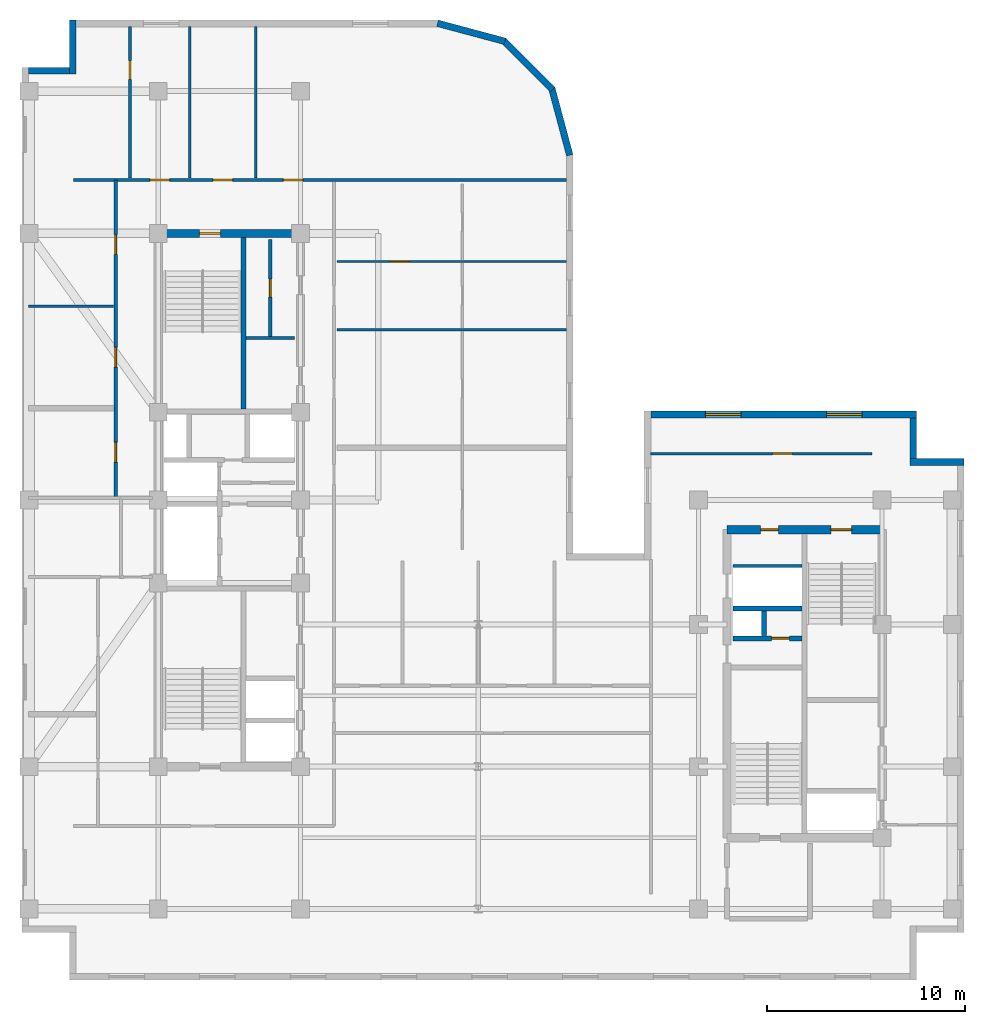
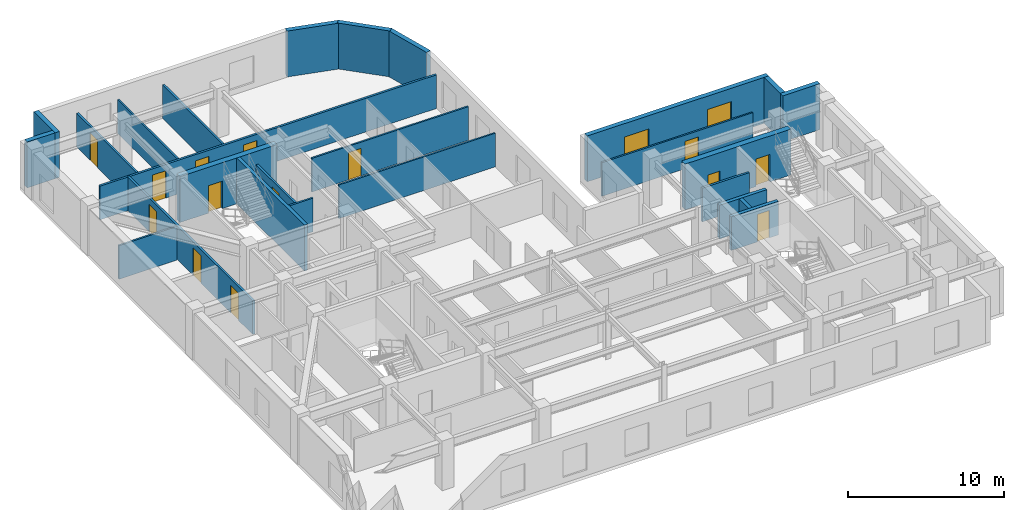
# One storey, part 6 of 10: 26 walls, 14 doors, 2 windows, 16 openings.
"""IFC4 building model written with IfcOpenShell, lengths in metres."""

from ifc_helpers import new_model, entity, si_unit, converted_unit, direction, frame, origin_with_axes, origin_2d_with_axis, place, context, subcontext, project, spatial, polyline, rectangle, outline, extrude, material, layer, layer_set, type_object, element, fill, save


model = new_model("IFC4")

# Units and contexts
model_context = context("Model", 3, precision=1e-05, world=origin_with_axes(), true_north=direction((0.0, 1.0)))
body_context = subcontext(model_context, "Body", "Model", "MODEL_VIEW")
ifc_project = project(units=[si_unit("LENGTHUNIT", "METRE"), si_unit("AREAUNIT", "SQUARE_METRE"), si_unit("VOLUMEUNIT", "CUBIC_METRE"), converted_unit("PLANEANGLEUNIT", "DEGREE", entity("IfcPlaneAngleMeasure", 0.017453292519943295), si_unit("PLANEANGLEUNIT", "RADIAN"), dimensions=[0, 0, 0, 0, 0, 0, 0]), si_unit("MASSUNIT", "GRAM", prefix="KILO"), si_unit("THERMODYNAMICTEMPERATUREUNIT", "KELVIN")], contexts=[model_context])

# Site, building, storey
site_placement = place(None, origin_with_axes())
site = spatial("IfcSite", under=ifc_project, at=site_placement, CompositionType="ELEMENT")
building_placement = place(site_placement, origin_with_axes())
building = spatial("IfcBuilding", under=site, at=building_placement, Name="Varnlund Millrace Tower", CompositionType="ELEMENT")
storey_placement = place(building_placement, frame((0.0, 0.0, 244.2), z_axis=(0.0, 0.0, 1.0), x_axis=(1.0, 0.0, 0.0)))
storey = spatial("IfcBuildingStorey", under=building, at=storey_placement, Name="L60", CompositionType="ELEMENT", Elevation=244.2)

# Wall, opening, door
ifc_material_1 = material(Name="Concrete C60/75", Category="concrete")
ifc_layer_1 = layer(ifc_material_1, 0.42, Name="Concrete C60/75")
ifc_layer_set_1 = layer_set([ifc_layer_1], Name="Concrete C60/75")
wall_type_1 = type_object("IfcWallType", Name="Type-CoreWall-Shear-420-C60", PredefinedType="SHEAR", material=ifc_layer_set_1)
wall_1_placement = place(storey_placement, frame((11.4, 37.8, 0.0), z_axis=(0.0, 0.0, 1.0), x_axis=(1.0, 0.0, 0.0)))
wall_1 = element("IfcWall", 1, at=wall_1_placement, inside=storey, type_object=wall_type_1, Name="Type-CoreWall-Shear-420-C60", PredefinedType="SHEAR", context=body_context, shape_type="SweptSolid", body=[
    extrude(outline(polyline([(0.0, -0.21), (7.2, -0.21), (7.2, 0.21), (0.0, 0.21), (0.0, -0.21)])), origin_with_axes(), (0.0, 0.0, 1.0), 3.6),
])
opening_1_placement = place(wall_1_placement, frame((2.625, 0.0, 0.0), z_axis=(0.0, 0.0, 1.0), x_axis=(1.0, 0.0, 0.0)))
opening_1 = element("IfcOpeningElement", 2, at=opening_1_placement, cuts=wall_1, Name="Opening L60:DR-STA2", PredefinedType="OPENING", context=body_context, shape_type="SweptSolid", body=[
    extrude(rectangle(XDim=1.05, YDim=0.44, at=origin_2d_with_axis()), origin_with_axes(), (0.0, 0.0, 1.0), 2.15),
])
ifc_material_2 = material(Name="Fire-rated hollow steel door", Category="steel")
door_type_1 = type_object("IfcDoorType", Name="Type-FireDoor-Stair-1050X2150", OperationType="NOTDEFINED", PredefinedType="DOOR", material=ifc_material_2)
door_1_placement = place(wall_1_placement, frame((2.625, 0.0, 0.0), z_axis=(0.0, 0.0, 1.0), x_axis=(1.0, 0.0, 0.0)))
door_1 = element("IfcDoor", 3, at=door_1_placement, inside=storey, type_object=door_type_1, Name="Type-FireDoor-Stair-1050X2150", OperationType="SINGLE_SWING_RIGHT", OverallHeight=2.15, OverallWidth=1.05, PredefinedType="DOOR", context=body_context, shape_type="SweptSolid", body=[
    extrude(rectangle(XDim=1.05, YDim=0.09, at=origin_2d_with_axis()), origin_with_axes(), (0.0, 0.0, 1.0), 2.15),
])
fill(opening_1, door_1)

# Wall, openings, doors
wall_2_placement = place(storey_placement, frame((40.2, 22.8, 0.0), z_axis=(0.0, 0.0, 1.0), x_axis=(1.0, 0.0, 0.0)))
wall_2 = element("IfcWall", 4, at=wall_2_placement, inside=storey, type_object=wall_type_1, Name="Type-CoreWall-Shear-420-C60", PredefinedType="SHEAR", context=body_context, shape_type="SweptSolid", body=[
    extrude(outline(polyline([(0.0, -0.21), (7.85, -0.21), (7.85, 0.21), (0.0, 0.21), (0.0, -0.21)])), origin_with_axes(), (0.0, 0.0, 1.0), 3.6),
])
opening_2_placement = place(wall_2_placement, frame((5.775, 0.0, 0.0), z_axis=(0.0, 0.0, 1.0), x_axis=(1.0, 0.0, 0.0)))
opening_2 = element("IfcOpeningElement", 5, at=opening_2_placement, cuts=wall_2, Name="Opening L60:DR-STB2", PredefinedType="OPENING", context=body_context, shape_type="SweptSolid", body=[
    extrude(rectangle(XDim=1.05, YDim=0.44, at=origin_2d_with_axis()), origin_with_axes(), (0.0, 0.0, 1.0), 2.15),
])
opening_3_placement = place(wall_2_placement, frame((2.15, 0.0, 0.0), z_axis=(0.0, 0.0, 1.0), x_axis=(1.0, 0.0, 0.0)))
opening_3 = element("IfcOpeningElement", 6, at=opening_3_placement, cuts=wall_2, Name="Opening L60:DR-CB-NW", PredefinedType="OPENING", context=body_context, shape_type="SweptSolid", body=[
    extrude(rectangle(XDim=0.9, YDim=0.44, at=origin_2d_with_axis()), origin_with_axes(), (0.0, 0.0, 1.0), 2.15),
])
ifc_material_3 = material(Name="Fire-rated hollow steel service closet door", Category="steel")
door_type_2 = type_object("IfcDoorType", Name="Type-FireDoor-Closet-900X2150", OperationType="NOTDEFINED", PredefinedType="DOOR", material=ifc_material_3)
door_2_placement = place(wall_2_placement, frame((2.15, 0.0, 0.0), z_axis=(0.0, 0.0, 1.0), x_axis=(1.0, 0.0, 0.0)))
door_2 = element("IfcDoor", 7, at=door_2_placement, inside=storey, type_object=door_type_2, Name="Type-FireDoor-Closet-900X2150", OperationType="SINGLE_SWING_LEFT", OverallHeight=2.15, OverallWidth=0.9, PredefinedType="DOOR", context=body_context, shape_type="SweptSolid", body=[
    extrude(rectangle(XDim=0.9, YDim=0.09, at=origin_2d_with_axis()), origin_with_axes(), (0.0, 0.0, 1.0), 2.15),
])
fill(opening_3, door_2)
door_3_placement = place(wall_2_placement, frame((5.775, 0.0, 0.0), z_axis=(0.0, 0.0, 1.0), x_axis=(1.0, 0.0, 0.0)))
door_3 = element("IfcDoor", 8, at=door_3_placement, inside=storey, type_object=door_type_1, Name="Type-FireDoor-Stair-1050X2150", OperationType="SINGLE_SWING_RIGHT", OverallHeight=2.15, OverallWidth=1.05, PredefinedType="DOOR", context=body_context, shape_type="SweptSolid", body=[
    extrude(rectangle(XDim=1.05, YDim=0.09, at=origin_2d_with_axis()), origin_with_axes(), (0.0, 0.0, 1.0), 2.15),
])
fill(opening_2, door_3)

# Wall, openings, windows
ifc_material_4 = material(Name="Precast concrete C50/60", Category="concrete")
ifc_layer_2 = layer(ifc_material_4, 0.34, Name="Precast concrete C50/60")
ifc_layer_set_2 = layer_set([ifc_layer_2], Name="Precast concrete C50/60")
wall_type_2 = type_object("IfcWallType", Name="Type-ExtWall-Precast-Upper-340", PredefinedType="SOLIDWALL", material=ifc_layer_set_2)
wall_3_placement = place(storey_placement, frame((36.34, 28.63, 0.0), z_axis=(0.0, 0.0, 1.0), x_axis=(1.0, 0.0, 0.0)))
wall_3 = element("IfcWall", 9, at=wall_3_placement, inside=storey, type_object=wall_type_2, Name="Type-ExtWall-Precast-Upper-340", PredefinedType="SOLIDWALL", context=body_context, shape_type="SweptSolid", body=[
    extrude(outline(polyline([(0.0, -0.17), (13.46, -0.17), (13.46, 0.17), (0.0, 0.17), (0.0, -0.17)])), origin_with_axes(), (0.0, 0.0, 1.0), 3.6),
])
opening_4_placement = place(wall_3_placement, frame((3.665, 0.0, 0.45), z_axis=(0.0, 0.0, 1.0), x_axis=(1.0, 0.0, 0.0)))
opening_4 = element("IfcOpeningElement", 10, at=opening_4_placement, cuts=wall_3, Name="Opening L60:WN-02", PredefinedType="OPENING", context=body_context, shape_type="SweptSolid", body=[
    extrude(rectangle(XDim=1.8, YDim=0.36, at=origin_2d_with_axis()), origin_with_axes(), (0.0, 0.0, 1.0), 2.1),
])
opening_5_placement = place(wall_3_placement, frame((9.795, 0.0, 0.45), z_axis=(0.0, 0.0, 1.0), x_axis=(1.0, 0.0, 0.0)))
opening_5 = element("IfcOpeningElement", 11, at=opening_5_placement, cuts=wall_3, Name="Opening L60:WN-03", PredefinedType="OPENING", context=body_context, shape_type="SweptSolid", body=[
    extrude(rectangle(XDim=1.8, YDim=0.36, at=origin_2d_with_axis()), origin_with_axes(), (0.0, 0.0, 1.0), 2.1),
])
ifc_material_5 = material(Name="Argon low-e triple glazing in thermally broken bronze frame", Category="glass")
window_type = type_object("IfcWindowType", Name="Type-Window-Punched-1800X2100", PartitioningType="SINGLE_PANEL", PredefinedType="WINDOW", material=ifc_material_5)
window_1_placement = place(wall_3_placement, frame((3.665, 0.0, 0.45), z_axis=(0.0, 0.0, 1.0), x_axis=(1.0, 0.0, 0.0)))
window_1 = element("IfcWindow", 12, at=window_1_placement, inside=storey, type_object=window_type, Name="Type-Window-Punched-1800X2100", OverallHeight=2.1, OverallWidth=1.8, PredefinedType="WINDOW", context=body_context, shape_type="SweptSolid", body=[
    extrude(rectangle(XDim=1.8, YDim=0.09, at=origin_2d_with_axis()), origin_with_axes(), (0.0, 0.0, 1.0), 2.1),
])
fill(opening_4, window_1)
window_2_placement = place(wall_3_placement, frame((9.795, 0.0, 0.45), z_axis=(0.0, 0.0, 1.0), x_axis=(1.0, 0.0, 0.0)))
window_2 = element("IfcWindow", 13, at=window_2_placement, inside=storey, type_object=window_type, Name="Type-Window-Punched-1800X2100", OverallHeight=2.1, OverallWidth=1.8, PredefinedType="WINDOW", context=body_context, shape_type="SweptSolid", body=[
    extrude(rectangle(XDim=1.8, YDim=0.09, at=origin_2d_with_axis()), origin_with_axes(), (0.0, 0.0, 1.0), 2.1),
])
fill(opening_5, window_2)

# Walls
wall_4_placement = place(storey_placement, frame((49.63, 28.46, 0.0), z_axis=(0.0, 0.0, 1.0), x_axis=(0.0, -1.0, 0.0)))
element("IfcWall", 14, at=wall_4_placement, inside=storey, type_object=wall_type_2, Name="Type-ExtWall-Precast-Upper-340", PredefinedType="SOLIDWALL", context=body_context, shape_type="SweptSolid", body=[
    extrude(outline(polyline([(0.0, -0.17), (2.06, -0.17), (2.06, 0.17), (0.0, 0.17), (0.0, -0.17)])), origin_with_axes(), (0.0, 0.0, 1.0), 3.6),
])
wall_5_placement = place(storey_placement, frame((49.46, 26.23, 0.0), z_axis=(0.0, 0.0, 1.0), x_axis=(1.0, 0.0, 0.0)))
element("IfcWall", 15, at=wall_5_placement, inside=storey, type_object=wall_type_2, Name="Type-ExtWall-Precast-Upper-340", PredefinedType="SOLIDWALL", context=body_context, shape_type="SweptSolid", body=[
    extrude(outline(polyline([(0.0, -0.17), (2.74, -0.17), (2.74, 0.17), (0.0, 0.17), (0.0, -0.17)])), origin_with_axes(), (0.0, 0.0, 1.0), 3.6),
])
wall_6_placement = place(storey_placement, frame((4.84, 46.03, 0.0), z_axis=(0.0, 0.0, 1.0), x_axis=(1.0, 0.0, 0.0)))
element("IfcWall", 16, at=wall_6_placement, inside=storey, type_object=wall_type_2, Name="Type-ExtWall-Precast-Upper-340", PredefinedType="SOLIDWALL", context=body_context, shape_type="SweptSolid", body=[
    extrude(outline(polyline([(0.0, -0.17), (2.06, -0.17), (2.06, 0.17), (0.0, 0.17), (0.0, -0.17)])), origin_with_axes(), (0.0, 0.0, 1.0), 3.6),
])
wall_7_placement = place(storey_placement, frame((7.07, 45.86, 0.0), z_axis=(0.0, 0.0, 1.0), x_axis=(0.0, 1.0, 0.0)))
element("IfcWall", 17, at=wall_7_placement, inside=storey, type_object=wall_type_2, Name="Type-ExtWall-Precast-Upper-340", PredefinedType="SOLIDWALL", context=body_context, shape_type="SweptSolid", body=[
    extrude(outline(polyline([(0.0, -0.17), (2.74, -0.17), (2.74, 0.17), (0.0, 0.17), (0.0, -0.17)])), origin_with_axes(), (0.0, 0.0, 1.0), 3.6),
])
wall_8_placement = place(storey_placement, frame((25.537, 48.441, 0.0), z_axis=(0.0, 0.0, 1.0), x_axis=(0.965934, -0.258788, 0.0)))
element("IfcWall", 18, at=wall_8_placement, inside=storey, type_object=wall_type_2, Name="Type-ExtWall-Precast-Upper-340", PredefinedType="SOLIDWALL", context=body_context, shape_type="SweptSolid", body=[
    extrude(outline(polyline([(0.0, -0.17), (3.539579, -0.17), (3.539579, 0.17), (0.0, 0.17), (0.0, -0.17)])), origin_with_axes(), (0.0, 0.0, 1.0), 3.6),
])
wall_9_placement = place(storey_placement, frame((28.866, 47.583, 0.0), z_axis=(0.0, 0.0, 1.0), x_axis=(0.707107, -0.707107, 0.0)))
element("IfcWall", 19, at=wall_9_placement, inside=storey, type_object=wall_type_2, Name="Type-ExtWall-Precast-Upper-340", PredefinedType="SOLIDWALL", context=body_context, shape_type="SweptSolid", body=[
    extrude(outline(polyline([(0.0, -0.17), (3.539777, -0.17), (3.539777, 0.17), (0.0, 0.17), (0.0, -0.17)])), origin_with_axes(), (0.0, 0.0, 1.0), 3.6),
])
wall_10_placement = place(storey_placement, frame((31.32, 45.175, 0.0), z_axis=(0.0, 0.0, 1.0), x_axis=(0.258788, -0.965934, 0.0)))
element("IfcWall", 20, at=wall_10_placement, inside=storey, type_object=wall_type_2, Name="Type-ExtWall-Precast-Upper-340", PredefinedType="SOLIDWALL", context=body_context, shape_type="SweptSolid", body=[
    extrude(outline(polyline([(0.0, -0.17), (3.539579, -0.17), (3.539579, 0.17), (0.0, 0.17), (0.0, -0.17)])), origin_with_axes(), (0.0, 0.0, 1.0), 3.6),
])

# Wall, opening, door
ifc_material_6 = material(Name="Fire-rated gypsum board on cold-formed steel framing", Category="steel")
ifc_layer_3 = layer(ifc_material_6, 0.16, Name="Fire-rated gypsum board on cold-formed steel framing")
ifc_layer_set_3 = layer_set([ifc_layer_3], Name="Fire-rated gypsum board on cold-formed steel framing")
wall_type_3 = type_object("IfcWallType", Name="Type-Partition-Corridor-160", PredefinedType="PARTITIONING", material=ifc_layer_set_3)
wall_11_placement = place(storey_placement, frame((17.07, 32.58, 0.0), z_axis=(0.0, 0.0, 1.0), x_axis=(0.0, 1.0, 0.0)))
wall_11 = element("IfcWall", 21, at=wall_11_placement, inside=storey, type_object=wall_type_3, Name="Type-Partition-Corridor-160", PredefinedType="PARTITIONING", context=body_context, shape_type="SweptSolid", body=[
    extrude(outline(polyline([(0.0, -0.08), (4.92, -0.08), (4.92, 0.08), (0.0, 0.08), (0.0, -0.08)])), origin_with_axes(), (0.0, 0.0, 1.0), 2.64),
])
opening_6_placement = place(wall_11_placement, frame((2.45, 0.0, 0.0), z_axis=(0.0, 0.0, 1.0), x_axis=(1.0, 0.0, 0.0)))
opening_6 = element("IfcOpeningElement", 22, at=opening_6_placement, cuts=wall_11, Name="Opening L60:DR-RECL-M2", PredefinedType="OPENING", context=body_context, shape_type="SweptSolid", body=[
    extrude(rectangle(XDim=0.9, YDim=0.18, at=origin_2d_with_axis()), origin_with_axes(), (0.0, 0.0, 1.0), 2.15),
])
ifc_material_7 = material(Name="Painted steel riser and closet door", Category="steel")
door_type_3 = type_object("IfcDoorType", Name="Type-IntDoor-Closet-900X2150", OperationType="NOTDEFINED", PredefinedType="DOOR", material=ifc_material_7)
door_4_placement = place(wall_11_placement, frame((2.45, 0.0, 0.0), z_axis=(0.0, 0.0, 1.0), x_axis=(1.0, 0.0, 0.0)))
door_4 = element("IfcDoor", 23, at=door_4_placement, inside=storey, type_object=door_type_3, Name="Type-IntDoor-Closet-900X2150", OperationType="SINGLE_SWING_LEFT", OverallHeight=2.15, OverallWidth=0.9, PredefinedType="DOOR", context=body_context, shape_type="SweptSolid", body=[
    extrude(rectangle(XDim=0.9, YDim=0.09, at=origin_2d_with_axis()), origin_with_axes(), (0.0, 0.0, 1.0), 2.15),
])
fill(opening_6, door_4)

# Wall
wall_12_placement = place(storey_placement, frame((40.5, 20.96, 0.0), z_axis=(0.0, 0.0, 1.0), x_axis=(1.0, 0.0, 0.0)))
element("IfcWall", 24, at=wall_12_placement, inside=storey, type_object=wall_type_3, Name="Type-Partition-Corridor-160", PredefinedType="PARTITIONING", context=body_context, shape_type="SweptSolid", body=[
    extrude(outline(polyline([(0.0, -0.08), (3.5, -0.08), (3.5, 0.08), (0.0, 0.08), (0.0, -0.08)])), origin_with_axes(), (0.0, 0.0, 1.0), 2.64),
])

# Wall, openings, doors
wall_13_placement = place(storey_placement, frame((7.1, 40.5, 0.0), z_axis=(0.0, 0.0, 1.0), x_axis=(1.0, 0.0, 0.0)))
wall_13 = element("IfcWall", 25, at=wall_13_placement, inside=storey, type_object=wall_type_3, Name="Type-Partition-Corridor-160", PredefinedType="PARTITIONING", context=body_context, shape_type="SweptSolid", body=[
    extrude(outline(polyline([(0.0, -0.08), (24.965, -0.08), (24.965, 0.08), (0.0, 0.08), (0.0, -0.08)])), origin_with_axes(), (0.0, 0.0, 1.0), 2.64),
])
opening_7_placement = place(wall_13_placement, frame((4.38, 0.0, 0.0), z_axis=(0.0, 0.0, 1.0), x_axis=(1.0, 0.0, 0.0)))
opening_7 = element("IfcOpeningElement", 26, at=opening_7_placement, cuts=wall_13, Name="Opening L60:DR-WAN-02", PredefinedType="OPENING", context=body_context, shape_type="SweptSolid", body=[
    extrude(rectangle(XDim=1.0, YDim=0.18, at=origin_2d_with_axis()), origin_with_axes(), (0.0, 0.0, 1.0), 2.15),
])
opening_8_placement = place(wall_13_placement, frame((7.5665, 0.0, 0.0), z_axis=(0.0, 0.0, 1.0), x_axis=(1.0, 0.0, 0.0)))
opening_8 = element("IfcOpeningElement", 27, at=opening_8_placement, cuts=wall_13, Name="Opening L60:DR-WAN-03", PredefinedType="OPENING", context=body_context, shape_type="SweptSolid", body=[
    extrude(rectangle(XDim=1.0, YDim=0.18, at=origin_2d_with_axis()), origin_with_axes(), (0.0, 0.0, 1.0), 2.15),
])
opening_9_placement = place(wall_13_placement, frame((11.1285, 0.0, 0.0), z_axis=(0.0, 0.0, 1.0), x_axis=(1.0, 0.0, 0.0)))
opening_9 = element("IfcOpeningElement", 28, at=opening_9_placement, cuts=wall_13, Name="Opening L60:DR-WAN-04", PredefinedType="OPENING", context=body_context, shape_type="SweptSolid", body=[
    extrude(rectangle(XDim=1.0, YDim=0.18, at=origin_2d_with_axis()), origin_with_axes(), (0.0, 0.0, 1.0), 2.15),
])
ifc_material_8 = material(Name="Solid-core white oak and bronze frame door")
door_type_4 = type_object("IfcDoorType", Name="Type-IntDoor-Office-1000X2150", OperationType="NOTDEFINED", PredefinedType="DOOR", material=ifc_material_8)
door_5_placement = place(wall_13_placement, frame((4.38, 0.0, 0.0), z_axis=(0.0, 0.0, 1.0), x_axis=(1.0, 0.0, 0.0)))
door_5 = element("IfcDoor", 29, at=door_5_placement, inside=storey, type_object=door_type_4, Name="Type-IntDoor-Office-1000X2150", OperationType="SINGLE_SWING_RIGHT", OverallHeight=2.15, OverallWidth=1.0, PredefinedType="DOOR", context=body_context, shape_type="SweptSolid", body=[
    extrude(rectangle(XDim=1.0, YDim=0.09, at=origin_2d_with_axis()), origin_with_axes(), (0.0, 0.0, 1.0), 2.15),
])
fill(opening_7, door_5)
door_6_placement = place(wall_13_placement, frame((7.5665, 0.0, 0.0), z_axis=(0.0, 0.0, 1.0), x_axis=(1.0, 0.0, 0.0)))
door_6 = element("IfcDoor", 30, at=door_6_placement, inside=storey, type_object=door_type_4, Name="Type-IntDoor-Office-1000X2150", OperationType="SINGLE_SWING_LEFT", OverallHeight=2.15, OverallWidth=1.0, PredefinedType="DOOR", context=body_context, shape_type="SweptSolid", body=[
    extrude(rectangle(XDim=1.0, YDim=0.09, at=origin_2d_with_axis()), origin_with_axes(), (0.0, 0.0, 1.0), 2.15),
])
fill(opening_8, door_6)
door_7_placement = place(wall_13_placement, frame((11.1285, 0.0, 0.0), z_axis=(0.0, 0.0, 1.0), x_axis=(1.0, 0.0, 0.0)))
door_7 = element("IfcDoor", 31, at=door_7_placement, inside=storey, type_object=door_type_4, Name="Type-IntDoor-Office-1000X2150", OperationType="SINGLE_SWING_RIGHT", OverallHeight=2.15, OverallWidth=1.0, PredefinedType="DOOR", context=body_context, shape_type="SweptSolid", body=[
    extrude(rectangle(XDim=1.0, YDim=0.09, at=origin_2d_with_axis()), origin_with_axes(), (0.0, 0.0, 1.0), 2.15),
])
fill(opening_9, door_7)

wall_14_placement = place(storey_placement, frame((9.25, 24.4, 0.0), z_axis=(0.0, 0.0, 1.0), x_axis=(0.0, 1.0, 0.0)))
wall_14 = element("IfcWall", 32, at=wall_14_placement, inside=storey, type_object=wall_type_3, Name="Type-Partition-Corridor-160", PredefinedType="PARTITIONING", context=body_context, shape_type="SweptSolid", body=[
    extrude(outline(polyline([(0.0, -0.08), (16.1, -0.08), (16.1, 0.08), (0.0, 0.08), (0.0, -0.08)])), origin_with_axes(), (0.0, 0.0, 1.0), 2.64),
])
opening_10_placement = place(wall_14_placement, frame((2.316, 0.0, 0.0), z_axis=(0.0, 0.0, 1.0), x_axis=(1.0, 0.0, 0.0)))
opening_10 = element("IfcOpeningElement", 33, at=opening_10_placement, cuts=wall_14, Name="Opening L60:DR-WN-01", PredefinedType="OPENING", context=body_context, shape_type="SweptSolid", body=[
    extrude(rectangle(XDim=1.0, YDim=0.18, at=origin_2d_with_axis()), origin_with_axes(), (0.0, 0.0, 1.0), 2.15),
])
opening_11_placement = place(wall_14_placement, frame((7.1315, 0.0, 0.0), z_axis=(0.0, 0.0, 1.0), x_axis=(1.0, 0.0, 0.0)))
opening_11 = element("IfcOpeningElement", 34, at=opening_11_placement, cuts=wall_14, Name="Opening L60:DR-WN-02", PredefinedType="OPENING", context=body_context, shape_type="SweptSolid", body=[
    extrude(rectangle(XDim=1.0, YDim=0.18, at=origin_2d_with_axis()), origin_with_axes(), (0.0, 0.0, 1.0), 2.15),
])
opening_12_placement = place(wall_14_placement, frame((12.8405, 0.0, 0.0), z_axis=(0.0, 0.0, 1.0), x_axis=(1.0, 0.0, 0.0)))
opening_12 = element("IfcOpeningElement", 35, at=opening_12_placement, cuts=wall_14, Name="Opening L60:DR-WN-03", PredefinedType="OPENING", context=body_context, shape_type="SweptSolid", body=[
    extrude(rectangle(XDim=1.0, YDim=0.18, at=origin_2d_with_axis()), origin_with_axes(), (0.0, 0.0, 1.0), 2.15),
])
door_8_placement = place(wall_14_placement, frame((2.316, 0.0, 0.0), z_axis=(0.0, 0.0, 1.0), x_axis=(1.0, 0.0, 0.0)))
door_8 = element("IfcDoor", 36, at=door_8_placement, inside=storey, type_object=door_type_4, Name="Type-IntDoor-Office-1000X2150", OperationType="SINGLE_SWING_LEFT", OverallHeight=2.15, OverallWidth=1.0, PredefinedType="DOOR", context=body_context, shape_type="SweptSolid", body=[
    extrude(rectangle(XDim=1.0, YDim=0.09, at=origin_2d_with_axis()), origin_with_axes(), (0.0, 0.0, 1.0), 2.15),
])
fill(opening_10, door_8)
door_9_placement = place(wall_14_placement, frame((7.1315, 0.0, 0.0), z_axis=(0.0, 0.0, 1.0), x_axis=(1.0, 0.0, 0.0)))
door_9 = element("IfcDoor", 37, at=door_9_placement, inside=storey, type_object=door_type_4, Name="Type-IntDoor-Office-1000X2150", OperationType="SINGLE_SWING_RIGHT", OverallHeight=2.15, OverallWidth=1.0, PredefinedType="DOOR", context=body_context, shape_type="SweptSolid", body=[
    extrude(rectangle(XDim=1.0, YDim=0.09, at=origin_2d_with_axis()), origin_with_axes(), (0.0, 0.0, 1.0), 2.15),
])
fill(opening_11, door_9)
door_10_placement = place(wall_14_placement, frame((12.8405, 0.0, 0.0), z_axis=(0.0, 0.0, 1.0), x_axis=(1.0, 0.0, 0.0)))
door_10 = element("IfcDoor", 38, at=door_10_placement, inside=storey, type_object=door_type_4, Name="Type-IntDoor-Office-1000X2150", OperationType="SINGLE_SWING_LEFT", OverallHeight=2.15, OverallWidth=1.0, PredefinedType="DOOR", context=body_context, shape_type="SweptSolid", body=[
    extrude(rectangle(XDim=1.0, YDim=0.09, at=origin_2d_with_axis()), origin_with_axes(), (0.0, 0.0, 1.0), 2.15),
])
fill(opening_12, door_10)

# Wall, opening, door
ifc_material_9 = material(Name="Acoustic STC-50 gypsum board partition", Category="gypsum")
ifc_layer_4 = layer(ifc_material_9, 0.15, Name="Acoustic STC-50 gypsum board partition")
ifc_layer_set_4 = layer_set([ifc_layer_4], Name="Acoustic STC-50 gypsum board partition")
wall_type_4 = type_object("IfcWallType", Name="Type-Partition-Demising-150", PredefinedType="PARTITIONING", material=ifc_layer_set_4)
wall_15_placement = place(storey_placement, frame((9.964, 40.6, 0.0), z_axis=(0.0, 0.0, 1.0), x_axis=(0.0, 1.0, 0.0)))
wall_15 = element("IfcWall", 39, at=wall_15_placement, inside=storey, type_object=wall_type_4, Name="Type-Partition-Demising-150", PredefinedType="PARTITIONING", context=body_context, shape_type="SweptSolid", body=[
    extrude(outline(polyline([(0.0, -0.075), (7.665, -0.075), (7.665, 0.075), (0.0, 0.075), (0.0, -0.075)])), origin_with_axes(), (0.0, 0.0, 1.0), 2.64),
])
opening_13_placement = place(wall_15_placement, frame((5.47, 0.0, 0.0), z_axis=(0.0, 0.0, 1.0), x_axis=(1.0, 0.0, 0.0)))
opening_13 = element("IfcOpeningElement", 40, at=opening_13_placement, cuts=wall_15, Name="Opening L60:DR-WAN-01", PredefinedType="OPENING", context=body_context, shape_type="SweptSolid", body=[
    extrude(rectangle(XDim=0.95, YDim=0.17, at=origin_2d_with_axis()), origin_with_axes(), (0.0, 0.0, 1.0), 2.15),
])
ifc_material_10 = material(Name="Solid-core acoustic office door")
door_type_5 = type_object("IfcDoorType", Name="Type-IntDoor-Tenant-950X2150", OperationType="NOTDEFINED", PredefinedType="DOOR", material=ifc_material_10)
door_11_placement = place(wall_15_placement, frame((5.47, 0.0, 0.0), z_axis=(0.0, 0.0, 1.0), x_axis=(1.0, 0.0, 0.0)))
door_11 = element("IfcDoor", 41, at=door_11_placement, inside=storey, type_object=door_type_5, Name="Type-IntDoor-Tenant-950X2150", OperationType="SINGLE_SWING_LEFT", OverallHeight=2.15, OverallWidth=0.95, PredefinedType="DOOR", context=body_context, shape_type="SweptSolid", body=[
    extrude(rectangle(XDim=0.95, YDim=0.09, at=origin_2d_with_axis()), origin_with_axes(), (0.0, 0.0, 1.0), 2.15),
])
fill(opening_13, door_11)

# Walls
wall_16_placement = place(storey_placement, frame((16.337, 40.6, 0.0), z_axis=(0.0, 0.0, 1.0), x_axis=(0.0, 1.0, 0.0)))
element("IfcWall", 42, at=wall_16_placement, inside=storey, type_object=wall_type_4, Name="Type-Partition-Demising-150", PredefinedType="PARTITIONING", context=body_context, shape_type="SweptSolid", body=[
    extrude(outline(polyline([(0.0, -0.075), (7.665, -0.075), (7.665, 0.075), (0.0, 0.075), (0.0, -0.075)])), origin_with_axes(), (0.0, 0.0, 1.0), 2.64),
])
ifc_material_11 = material(Name="Gypsum board tenant partition", Category="gypsum")
ifc_layer_5 = layer(ifc_material_11, 0.125, Name="Gypsum board tenant partition")
ifc_layer_set_5 = layer_set([ifc_layer_5], Name="Gypsum board tenant partition")
wall_type_5 = type_object("IfcWallType", Name="Type-Partition-Tenant-125", PredefinedType="PARTITIONING", material=ifc_layer_set_5)
wall_17_placement = place(storey_placement, frame((4.835, 34.111, 0.0), z_axis=(0.0, 0.0, 1.0), x_axis=(1.0, 0.0, 0.0)))
element("IfcWall", 43, at=wall_17_placement, inside=storey, type_object=wall_type_5, Name="Type-Partition-Tenant-125", PredefinedType="PARTITIONING", context=body_context, shape_type="SweptSolid", body=[
    extrude(outline(polyline([(0.0, -0.0625), (4.295, -0.0625), (4.295, 0.0625), (0.0, 0.0625), (0.0, -0.0625)])), origin_with_axes(), (0.0, 0.0, 1.0), 2.64),
])
wall_18_placement = place(storey_placement, frame((12.996, 40.6, 0.0), z_axis=(0.0, 0.0, 1.0), x_axis=(0.0, 1.0, 0.0)))
element("IfcWall", 44, at=wall_18_placement, inside=storey, type_object=wall_type_5, Name="Type-Partition-Tenant-125", PredefinedType="PARTITIONING", context=body_context, shape_type="SweptSolid", body=[
    extrude(outline(polyline([(0.0, -0.0625), (7.665, -0.0625), (7.665, 0.0625), (0.0, 0.0625), (0.0, -0.0625)])), origin_with_axes(), (0.0, 0.0, 1.0), 2.64),
])
wall_19_placement = place(storey_placement, frame((20.45, 32.932, 0.0), z_axis=(0.0, 0.0, 1.0), x_axis=(1.0, 0.0, 0.0)))
element("IfcWall", 45, at=wall_19_placement, inside=storey, type_object=wall_type_5, Name="Type-Partition-Tenant-125", PredefinedType="PARTITIONING", context=body_context, shape_type="SweptSolid", body=[
    extrude(outline(polyline([(0.0, -0.0625), (11.615, -0.0625), (11.615, 0.0625), (0.0, 0.0625), (0.0, -0.0625)])), origin_with_axes(), (0.0, 0.0, 1.0), 2.64),
])

# Wall, opening, door
wall_20_placement = place(storey_placement, frame((20.45, 36.378, 0.0), z_axis=(0.0, 0.0, 1.0), x_axis=(1.0, 0.0, 0.0)))
wall_20 = element("IfcWall", 46, at=wall_20_placement, inside=storey, type_object=wall_type_5, Name="Type-Partition-Tenant-125", PredefinedType="PARTITIONING", context=body_context, shape_type="SweptSolid", body=[
    extrude(outline(polyline([(0.0, -0.0625), (11.615, -0.0625), (11.615, 0.0625), (0.0, 0.0625), (0.0, -0.0625)])), origin_with_axes(), (0.0, 0.0, 1.0), 2.64),
])
opening_14_placement = place(wall_20_placement, frame((3.175, 0.0, 0.0), z_axis=(0.0, 0.0, 1.0), x_axis=(1.0, 0.0, 0.0)))
opening_14 = element("IfcOpeningElement", 47, at=opening_14_placement, cuts=wall_20, Name="Opening L60:DR-FLR-04", PredefinedType="OPENING", context=body_context, shape_type="SweptSolid", body=[
    extrude(rectangle(XDim=0.95, YDim=0.145, at=origin_2d_with_axis()), origin_with_axes(), (0.0, 0.0, 1.0), 2.15),
])
door_12_placement = place(wall_20_placement, frame((3.175, 0.0, 0.0), z_axis=(0.0, 0.0, 1.0), x_axis=(1.0, 0.0, 0.0)))
door_12 = element("IfcDoor", 48, at=door_12_placement, inside=storey, type_object=door_type_5, Name="Type-IntDoor-Tenant-950X2150", OperationType="SINGLE_SWING_LEFT", OverallHeight=2.15, OverallWidth=0.95, PredefinedType="DOOR", context=body_context, shape_type="SweptSolid", body=[
    extrude(rectangle(XDim=0.95, YDim=0.075, at=origin_2d_with_axis()), origin_with_axes(), (0.0, 0.0, 1.0), 2.15),
])
fill(opening_14, door_12)

wall_21_placement = place(storey_placement, frame((36.335, 26.65, 0.0), z_axis=(0.0, 0.0, 1.0), x_axis=(1.0, 0.0, 0.0)))
wall_21 = element("IfcWall", 49, at=wall_21_placement, inside=storey, type_object=wall_type_5, Name="Type-Partition-Tenant-125", PredefinedType="PARTITIONING", context=body_context, shape_type="SweptSolid", body=[
    extrude(outline(polyline([(0.0, -0.0625), (11.195, -0.0625), (11.195, 0.0625), (0.0, 0.0625), (0.0, -0.0625)])), origin_with_axes(), (0.0, 0.0, 1.0), 2.64),
])
opening_15_placement = place(wall_21_placement, frame((6.665, 0.0, 0.0), z_axis=(0.0, 0.0, 1.0), x_axis=(1.0, 0.0, 0.0)))
opening_15 = element("IfcOpeningElement", 50, at=opening_15_placement, cuts=wall_21, Name="Opening L60:DR-WBN-01", PredefinedType="OPENING", context=body_context, shape_type="SweptSolid", body=[
    extrude(rectangle(XDim=1.0, YDim=0.145, at=origin_2d_with_axis()), origin_with_axes(), (0.0, 0.0, 1.0), 2.15),
])
door_13_placement = place(wall_21_placement, frame((6.665, 0.0, 0.0), z_axis=(0.0, 0.0, 1.0), x_axis=(1.0, 0.0, 0.0)))
door_13 = element("IfcDoor", 51, at=door_13_placement, inside=storey, type_object=door_type_4, Name="Type-IntDoor-Office-1000X2150", OperationType="SINGLE_SWING_RIGHT", OverallHeight=2.15, OverallWidth=1.0, PredefinedType="DOOR", context=body_context, shape_type="SweptSolid", body=[
    extrude(rectangle(XDim=1.0, YDim=0.075, at=origin_2d_with_axis()), origin_with_axes(), (0.0, 0.0, 1.0), 2.15),
])
fill(opening_15, door_13)

# Wall
ifc_material_12 = material(Name="Moisture-resistant gypsum restroom partition", Category="gypsum")
ifc_layer_6 = layer(ifc_material_12, 0.14, Name="Moisture-resistant gypsum restroom partition")
ifc_layer_set_6 = layer_set([ifc_layer_6], Name="Moisture-resistant gypsum restroom partition")
wall_type_6 = type_object("IfcWallType", Name="Type-Partition-Wet-140", PredefinedType="PARTITIONING", material=ifc_layer_set_6)
wall_22_placement = place(storey_placement, frame((15.84, 32.5, 0.0), z_axis=(0.0, 0.0, 1.0), x_axis=(1.0, 0.0, 0.0)))
element("IfcWall", 52, at=wall_22_placement, inside=storey, type_object=wall_type_6, Name="Type-Partition-Wet-140", PredefinedType="PARTITIONING", context=body_context, shape_type="SweptSolid", body=[
    extrude(outline(polyline([(0.0, -0.07), (2.46, -0.07), (2.46, 0.07), (0.0, 0.07), (0.0, -0.07)])), origin_with_axes(), (0.0, 0.0, 1.0), 2.64),
])

# Wall, opening, door
ifc_layer_7 = layer(ifc_material_1, 0.25, Name="Concrete C60/75")
ifc_layer_set_7 = layer_set([ifc_layer_7], Name="Concrete C60/75")
wall_type_7 = type_object("IfcWallType", Name="Type-ShaftWall-Fire-250", PredefinedType="SOLIDWALL", material=ifc_layer_set_7)
wall_23_placement = place(storey_placement, frame((40.5, 17.3, 0.0), z_axis=(0.0, 0.0, 1.0), x_axis=(1.0, 0.0, 0.0)))
wall_23 = element("IfcWall", 53, at=wall_23_placement, inside=storey, type_object=wall_type_7, Name="Type-ShaftWall-Fire-250", PredefinedType="SOLIDWALL", context=body_context, shape_type="SweptSolid", body=[
    extrude(outline(polyline([(0.0, -0.125), (3.5, -0.125), (3.5, 0.125), (0.0, 0.125), (0.0, -0.125)])), origin_with_axes(), (0.0, 0.0, 1.0), 2.64),
])
opening_16_placement = place(wall_23_placement, frame((2.4, 0.0, 0.0), z_axis=(0.0, 0.0, 1.0), x_axis=(1.0, 0.0, 0.0)))
opening_16 = element("IfcOpeningElement", 54, at=opening_16_placement, cuts=wall_23, Name="Opening L60:DR-CB-ELC", PredefinedType="OPENING", context=body_context, shape_type="SweptSolid", body=[
    extrude(rectangle(XDim=0.9, YDim=0.27, at=origin_2d_with_axis()), origin_with_axes(), (0.0, 0.0, 1.0), 2.15),
])
door_14_placement = place(wall_23_placement, frame((2.4, 0.0, 0.0), z_axis=(0.0, 0.0, 1.0), x_axis=(1.0, 0.0, 0.0)))
door_14 = element("IfcDoor", 55, at=door_14_placement, inside=storey, type_object=door_type_2, Name="Type-FireDoor-Closet-900X2150", OperationType="SINGLE_SWING_LEFT", OverallHeight=2.15, OverallWidth=0.9, PredefinedType="DOOR", context=body_context, shape_type="SweptSolid", body=[
    extrude(rectangle(XDim=0.9, YDim=0.09, at=origin_2d_with_axis()), origin_with_axes(), (0.0, 0.0, 1.0), 2.15),
])
fill(opening_16, door_14)

# Walls
wall_24_placement = place(storey_placement, frame((40.5, 18.8, 0.0), z_axis=(0.0, 0.0, 1.0), x_axis=(1.0, 0.0, 0.0)))
element("IfcWall", 56, at=wall_24_placement, inside=storey, type_object=wall_type_7, Name="Type-ShaftWall-Fire-250", PredefinedType="SOLIDWALL", context=body_context, shape_type="SweptSolid", body=[
    extrude(outline(polyline([(0.0, -0.125), (3.5, -0.125), (3.5, 0.125), (0.0, 0.125), (0.0, -0.125)])), origin_with_axes(), (0.0, 0.0, 1.0), 2.64),
])
wall_25_placement = place(storey_placement, frame((42.075, 17.43, 0.0), z_axis=(0.0, 0.0, 1.0), x_axis=(0.0, 1.0, 0.0)))
element("IfcWall", 57, at=wall_25_placement, inside=storey, type_object=wall_type_7, Name="Type-ShaftWall-Fire-250", PredefinedType="SOLIDWALL", context=body_context, shape_type="SweptSolid", body=[
    extrude(outline(polyline([(0.0, -0.125), (1.24, -0.125), (1.24, 0.125), (0.0, 0.125), (0.0, -0.125)])), origin_with_axes(), (0.0, 0.0, 1.0), 2.64),
])
wall_type_8 = type_object("IfcWallType", Name="Type-StairWall-Shear-250", PredefinedType="SHEAR", material=ifc_layer_set_7)
wall_26_placement = place(storey_placement, frame((15.725, 28.9, 0.0), z_axis=(0.0, 0.0, 1.0), x_axis=(0.0, 1.0, 0.0)))
element("IfcWall", 58, at=wall_26_placement, inside=storey, type_object=wall_type_8, Name="Type-StairWall-Shear-250", PredefinedType="SHEAR", context=body_context, shape_type="SweptSolid", body=[
    extrude(outline(polyline([(0.0, -0.125), (8.69, -0.125), (8.69, 0.125), (0.0, 0.125), (0.0, -0.125)])), origin_with_axes(), (0.0, 0.0, 1.0), 3.6),
])

save(model, "model.ifc")
